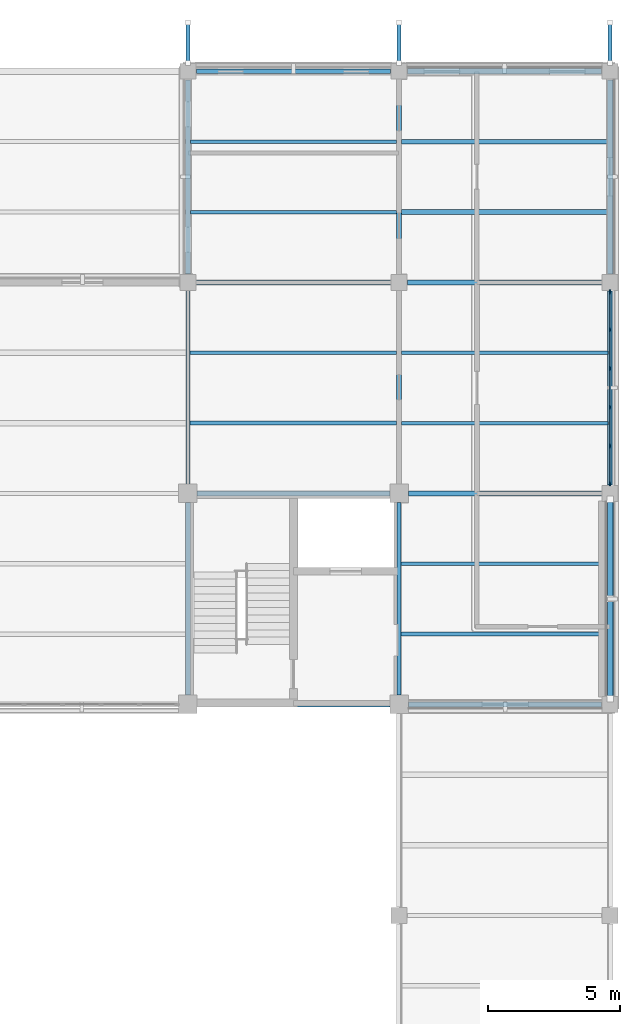
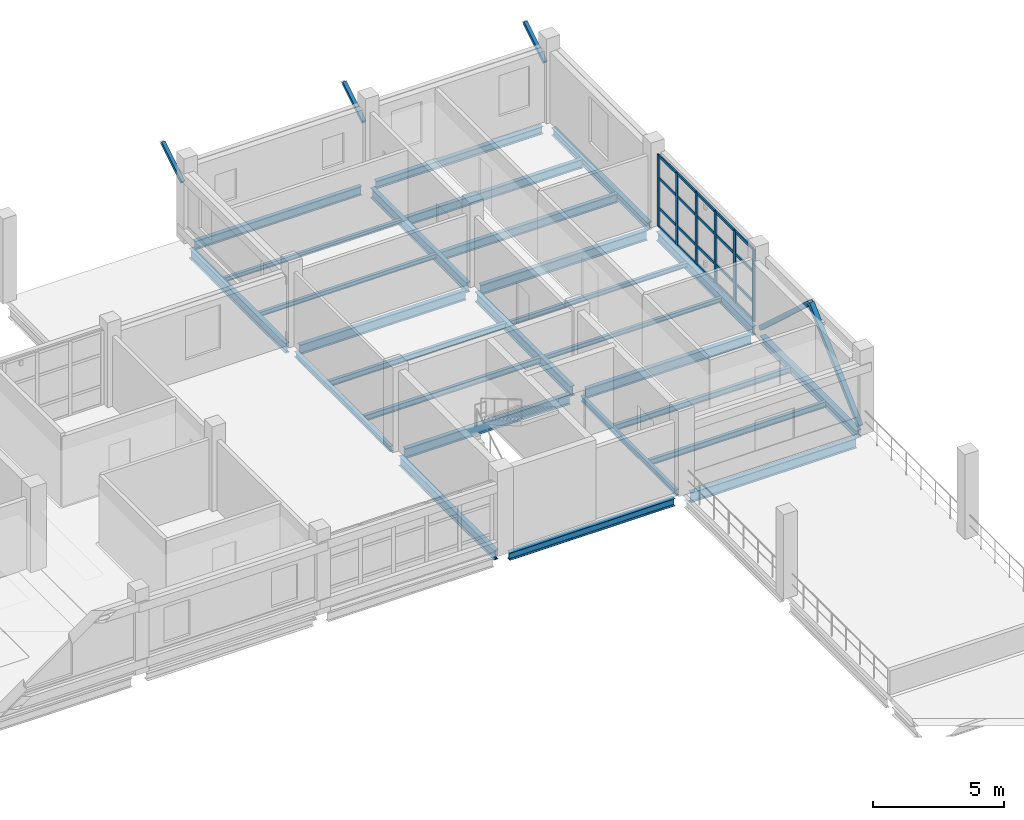
# One storey, part 13 of 35: 31 members, 27 beams, 1 element without a shape of its own.
"""IFC4 building model written with IfcOpenShell, lengths in metres."""

from ifc_helpers import new_model, si_unit, derived_unit, direction, frame, origin, origin_2d, place, context, subcontext, project, spatial, rectangle, hollow_rectangle, i_section, extrude, material, layer, layer_set, material_profile, profile_set, type_object, element, aggregate, save


model = new_model("IFC4")

# Units and contexts
model_context = context("Model", 3, precision=1e-05, world=origin(), true_north=direction((0.0, 1.0)))
body_context = subcontext(model_context, "Body", "Model", "MODEL_VIEW")
ifc_project = project(units=[si_unit("LENGTHUNIT", "METRE"), si_unit("AREAUNIT", "SQUARE_METRE"), si_unit("VOLUMEUNIT", "CUBIC_METRE"), si_unit("PLANEANGLEUNIT", "RADIAN"), si_unit("MASSUNIT", "GRAM", prefix="KILO"), derived_unit("THERMALTRANSMITTANCEUNIT", [(si_unit("MASSUNIT", "GRAM", prefix="KILO"), 1), (si_unit("TIMEUNIT", "SECOND"), -3), (si_unit("THERMODYNAMICTEMPERATUREUNIT", "KELVIN"), -1)])], contexts=[model_context])

# Site, building, storey
site_placement = place(None, origin())
site = spatial("IfcSite", under=ifc_project, at=site_placement, CompositionType="ELEMENT")
building_placement = place(site_placement, origin())
building = spatial("IfcBuilding", under=site, at=building_placement, Name="Veyamyaing Civic Hall", CompositionType="ELEMENT")
storey_placement = place(building_placement, frame((0.0, 0.0, 21.780029296875)))
storey = spatial("IfcBuildingStorey", under=building, at=storey_placement, Name="L05", CompositionType="ELEMENT", Elevation=21.780029296875)

# Beams
ifc_material_1 = material(Name="Steel ASTM A992", Category="steel")
ifc_material_profile_1 = material_profile(ifc_material_1, i_section(OverallWidth=0.19189453125, OverallDepth=0.462890625, WebThickness=0.010498046875, FlangeThickness=0.017578125, FilletRadius=0.010009765625, at=origin_2d()), Name="W460X89")
ifc_profile_set_1 = profile_set([ifc_material_profile_1], Name="Steel ASTM A992")
beam_type_1 = type_object("IfcBeamType", Name="B-08", PredefinedType="BEAM", material=ifc_profile_set_1)
beam_1_placement = place(storey_placement, frame((168.35009765625, 88.0, -0.46142578125), z_axis=(1.0, 0.0, 0.0), x_axis=(0.0, 1.0, 0.0)))
element("IfcBeam", 1, at=beam_1_placement, inside=storey, type_object=beam_type_1, Name="Girder B-08 L05 Grid M 22-23", PredefinedType="BEAM", context=body_context, shape_type="SweptSolid", body=[
    extrude(i_section(OverallWidth=0.19189453125, OverallDepth=0.462890625, WebThickness=0.010498046875, FlangeThickness=0.017578125, FilletRadius=0.010009765625, at=origin_2d()), origin(), (0.0, 0.0, 1.0), 7.324951171875),
])
beam_2_placement = place(storey_placement, frame((160.35009765625, 96.0, -0.45654296875), z_axis=(1.0, 0.0, 0.0), x_axis=(0.0, 1.0, 0.0)))
element("IfcBeam", 2, at=beam_2_placement, inside=storey, type_object=beam_type_1, Name="Girder B-08 L05 Grid N 21-22", PredefinedType="BEAM", context=body_context, shape_type="SweptSolid", body=[
    extrude(i_section(OverallWidth=0.19189453125, OverallDepth=0.462890625, WebThickness=0.010498046875, FlangeThickness=0.017578125, FilletRadius=0.010009765625, at=origin_2d()), origin(), (0.0, 0.0, 1.0), 7.2998046875),
])
beam_3_placement = place(storey_placement, frame((160.0, 104.324951171875, -0.4814453125), z_axis=(0.0, 1.0, 0.0), x_axis=(-1.0, 0.0, 0.0)))
element("IfcBeam", 3, at=beam_3_placement, inside=storey, type_object=beam_type_1, Name="Girder B-08 L05 Grid 21 P-Q", PredefinedType="BEAM", context=body_context, shape_type="SweptSolid", body=[
    extrude(i_section(OverallWidth=0.19189453125, OverallDepth=0.462890625, WebThickness=0.010498046875, FlangeThickness=0.017578125, FilletRadius=0.010009765625, at=origin_2d()), origin(), (0.0, 0.0, 1.0), 7.35009765625),
])
beam_4_placement = place(storey_placement, frame((168.0, 96.35009765625, -0.45654296875), z_axis=(0.0, 1.0, 0.0), x_axis=(-1.0, 0.0, 0.0)))
element("IfcBeam", 4, at=beam_4_placement, inside=storey, type_object=beam_type_1, Name="Girder B-08 L05 Grid 22 N-P", PredefinedType="BEAM", context=body_context, shape_type="SweptSolid", body=[
    extrude(i_section(OverallWidth=0.19189453125, OverallDepth=0.462890625, WebThickness=0.010498046875, FlangeThickness=0.017578125, FilletRadius=0.010009765625, at=origin_2d()), origin(), (0.0, 0.0, 1.0), 7.324951171875),
])
ifc_material_profile_2 = material_profile(ifc_material_1, i_section(OverallWidth=0.18994140625, OverallDepth=0.45703125, WebThickness=0.009033203125, FlangeThickness=0.014404296875, FilletRadius=0.010009765625, at=origin_2d()), Name="W460X74")
ifc_profile_set_2 = profile_set([ifc_material_profile_2], Name="Steel ASTM A992")
beam_type_2 = type_object("IfcBeamType", Name="B-09", PredefinedType="BEAM", material=ifc_profile_set_2)
beam_5_placement = place(storey_placement, frame((168.35009765625, 96.0, -0.45361328125), z_axis=(1.0, 0.0, 0.0), x_axis=(0.0, 1.0, 0.0)))
element("IfcBeam", 5, at=beam_5_placement, inside=storey, type_object=beam_type_2, Name="Girder B-09 L05 Grid N 22-23", PredefinedType="BEAM", context=body_context, shape_type="SweptSolid", body=[
    extrude(i_section(OverallWidth=0.18994140625, OverallDepth=0.45703125, WebThickness=0.009033203125, FlangeThickness=0.014404296875, FilletRadius=0.010009765625, at=origin_2d()), origin(), (0.0, 0.0, 1.0), 7.324951171875),
])
beam_6_placement = place(storey_placement, frame((160.324951171875, 104.0, -0.45361328125), z_axis=(1.0, 0.0, 0.0), x_axis=(0.0, 1.0, 0.0)))
element("IfcBeam", 6, at=beam_6_placement, inside=storey, type_object=beam_type_2, Name="Girder B-09 L05 Grid P 21-22", PredefinedType="BEAM", context=body_context, shape_type="SweptSolid", body=[
    extrude(i_section(OverallWidth=0.18994140625, OverallDepth=0.45703125, WebThickness=0.009033203125, FlangeThickness=0.014404296875, FilletRadius=0.010009765625, at=origin_2d()), origin(), (0.0, 0.0, 1.0), 7.35009765625),
])
beam_7_placement = place(storey_placement, frame((160.0, 88.35009765625, -0.45361328125), z_axis=(0.0, 1.0, 0.0), x_axis=(-1.0, 0.0, 0.0)))
element("IfcBeam", 7, at=beam_7_placement, inside=storey, type_object=beam_type_2, Name="Girder B-09 L05 Grid 21 M-N", PredefinedType="BEAM", context=body_context, shape_type="SweptSolid", body=[
    extrude(i_section(OverallWidth=0.18994140625, OverallDepth=0.45703125, WebThickness=0.009033203125, FlangeThickness=0.014404296875, FilletRadius=0.010009765625, at=origin_2d()), origin(), (0.0, 0.0, 1.0), 7.2998046875),
])
beam_8_placement = place(storey_placement, frame((168.0, 104.324951171875, -0.45361328125), z_axis=(0.0, 1.0, 0.0), x_axis=(-1.0, 0.0, 0.0)))
element("IfcBeam", 8, at=beam_8_placement, inside=storey, type_object=beam_type_2, Name="Girder B-09 L05 Grid 22 P-Q", PredefinedType="BEAM", context=body_context, shape_type="SweptSolid", body=[
    extrude(i_section(OverallWidth=0.18994140625, OverallDepth=0.45703125, WebThickness=0.009033203125, FlangeThickness=0.014404296875, FilletRadius=0.010009765625, at=origin_2d()), origin(), (0.0, 0.0, 1.0), 7.35009765625),
])
ifc_material_profile_3 = material_profile(ifc_material_1, i_section(OverallWidth=0.179931640625, OverallDepth=0.4130859375, WebThickness=0.009765625, FlangeThickness=0.01611328125, FilletRadius=0.010009765625, at=origin_2d()), Name="W410X74")
ifc_profile_set_3 = profile_set([ifc_material_profile_3], Name="Steel ASTM A992")
beam_type_3 = type_object("IfcBeamType", Name="B-10", PredefinedType="SPANDREL", material=ifc_profile_set_3)
for number, where, z_axis, x_axis, name in (
    (9, (160.324951171875, 112.0, -0.431640625), (1.0, 0.0, 0.0), (0.0, 1.0, 0.0), "Girder B-10 L05 Grid Q 21-22"),
    (10, (176.0, 96.324951171875, -0.431640625), (0.0, 1.0, 0.0), (-1.0, 0.0, 0.0), "Girder B-10 L05 Grid 23 N-P"),
):
    element("IfcBeam", number, at=place(storey_placement, frame(where, z_axis=z_axis, x_axis=x_axis)), inside=storey, type_object=beam_type_3, Name=name, PredefinedType="SPANDREL", context=body_context, shape_type="SweptSolid", body=[
        extrude(i_section(OverallWidth=0.179931640625, OverallDepth=0.4130859375, WebThickness=0.009765625, FlangeThickness=0.01611328125, FilletRadius=0.010009765625, at=origin_2d()), origin(), (0.0, 0.0, 1.0), 7.35009765625),
    ])
ifc_material_profile_4 = material_profile(ifc_material_1, i_section(OverallWidth=0.2041015625, OverallDepth=0.35009765625, WebThickness=0.0078125, FlangeThickness=0.01513671875, FilletRadius=0.010009765625, at=origin_2d()), Name="W360X72")
ifc_profile_set_4 = profile_set([ifc_material_profile_4], Name="Steel ASTM A992")
beam_type_4 = type_object("IfcBeamType", Name="B-11", PredefinedType="SPANDREL", material=ifc_profile_set_4)
beam_9_placement = place(storey_placement, frame((160.35009765625, 88.0, -0.400146484375), z_axis=(1.0, 0.0, 0.0), x_axis=(0.0, 1.0, 0.0)))
element("IfcBeam", 11, at=beam_9_placement, inside=storey, type_object=beam_type_4, Name="Girder B-11 L05 Grid M 21-22", PredefinedType="SPANDREL", context=body_context, shape_type="SweptSolid", body=[
    extrude(i_section(OverallWidth=0.2041015625, OverallDepth=0.35009765625, WebThickness=0.0078125, FlangeThickness=0.01513671875, FilletRadius=0.010009765625, at=origin_2d()), origin(), (0.0, 0.0, 1.0), 7.2998046875),
])
for number, where, z_axis, x_axis, name in (
    (12, (168.324951171875, 112.0, -0.400146484375), (1.0, 0.0, 0.0), (0.0, 1.0, 0.0), "Girder B-11 L05 Grid Q 22-23"),
    (13, (176.0, 104.324951171875, -0.400146484375), (0.0, 1.0, 0.0), (-1.0, 0.0, 0.0), "Girder B-11 L05 Grid 23 P-Q"),
):
    element("IfcBeam", number, at=place(storey_placement, frame(where, z_axis=z_axis, x_axis=x_axis)), inside=storey, type_object=beam_type_4, Name=name, PredefinedType="SPANDREL", context=body_context, shape_type="SweptSolid", body=[
        extrude(i_section(OverallWidth=0.2041015625, OverallDepth=0.35009765625, WebThickness=0.0078125, FlangeThickness=0.01513671875, FilletRadius=0.010009765625, at=origin_2d()), origin(), (0.0, 0.0, 1.0), 7.35009765625),
    ])
ifc_material_profile_5 = material_profile(ifc_material_1, i_section(OverallWidth=0.14599609375, OverallDepth=0.258056640625, WebThickness=0.006103515625, FlangeThickness=0.009033203125, FilletRadius=0.010009765625, at=origin_2d()), Name="W250X33")
ifc_profile_set_5 = profile_set([ifc_material_profile_5], Name="Steel ASTM A992")
beam_type_5 = type_object("IfcBeamType", Name="B-12", PredefinedType="BEAM", material=ifc_profile_set_5)
beam_10_placement = place(storey_placement, frame((160.0, 96.35009765625, -0.35400390625), z_axis=(0.0, 1.0, 0.0), x_axis=(-1.0, 0.0, 0.0)))
element("IfcBeam", 14, at=beam_10_placement, inside=storey, type_object=beam_type_5, Name="Girder B-12 L05 Grid 21 N-P", PredefinedType="BEAM", context=body_context, shape_type="SweptSolid", body=[
    extrude(i_section(OverallWidth=0.14599609375, OverallDepth=0.258056640625, WebThickness=0.006103515625, FlangeThickness=0.009033203125, FilletRadius=0.010009765625, at=origin_2d()), origin(), (0.0, 0.0, 1.0), 7.324951171875),
])
beam_11_placement = place(storey_placement, frame((168.0, 88.35009765625, -0.35400390625), z_axis=(0.0, 1.0, 0.0), x_axis=(-1.0, 0.0, 0.0)))
element("IfcBeam", 15, at=beam_11_placement, inside=storey, type_object=beam_type_5, Name="Girder B-12 L05 Grid 22 M-N", PredefinedType="BEAM", context=body_context, shape_type="SweptSolid", body=[
    extrude(i_section(OverallWidth=0.14599609375, OverallDepth=0.258056640625, WebThickness=0.006103515625, FlangeThickness=0.009033203125, FilletRadius=0.010009765625, at=origin_2d()), origin(), (0.0, 0.0, 1.0), 7.2998046875),
])
ifc_material_profile_6 = material_profile(ifc_material_1, i_section(OverallWidth=0.194091796875, OverallDepth=0.468994140625, WebThickness=0.0126953125, FlangeThickness=0.0205078125, FilletRadius=0.010009765625, at=origin_2d()), Name="W460X106")
ifc_profile_set_6 = profile_set([ifc_material_profile_6], Name="Steel ASTM A992")
beam_type_6 = type_object("IfcBeamType", Name="B-18", PredefinedType="BEAM", material=ifc_profile_set_6)
beam_12_placement = place(storey_placement, frame((168.324951171875, 104.0, -0.45947265625), z_axis=(1.0, 0.0, 0.0), x_axis=(0.0, 1.0, 0.0)))
element("IfcBeam", 16, at=beam_12_placement, inside=storey, type_object=beam_type_6, Name="Girder B-18 L05 Grid P 22-23", PredefinedType="BEAM", context=body_context, shape_type="SweptSolid", body=[
    extrude(i_section(OverallWidth=0.194091796875, OverallDepth=0.468994140625, WebThickness=0.0126953125, FlangeThickness=0.0205078125, FilletRadius=0.010009765625, at=origin_2d()), origin(), (0.0, 0.0, 1.0), 7.35009765625),
])
ifc_material_profile_7 = material_profile(ifc_material_1, i_section(OverallWidth=0.25390625, OverallDepth=0.35302734375, WebThickness=0.009521484375, FlangeThickness=0.016357421875, FilletRadius=0.011962890625, at=origin_2d()), Name="W360X91")
ifc_profile_set_7 = profile_set([ifc_material_profile_7], Name="Steel ASTM A992")
beam_type_7 = type_object("IfcBeamType", Name="B-20", PredefinedType="SPANDREL", material=ifc_profile_set_7)
beam_13_placement = place(storey_placement, frame((176.0, 88.324951171875, -0.401611328125), z_axis=(0.0, 1.0, 0.0), x_axis=(-1.0, 0.0, 0.0)))
element("IfcBeam", 17, at=beam_13_placement, inside=storey, type_object=beam_type_7, Name="Girder B-20 L05 Grid 23 M-N", PredefinedType="SPANDREL", context=body_context, shape_type="SweptSolid", body=[
    extrude(i_section(OverallWidth=0.25390625, OverallDepth=0.35302734375, WebThickness=0.009521484375, FlangeThickness=0.016357421875, FilletRadius=0.011962890625, at=origin_2d()), origin(), (0.0, 0.0, 1.0), 7.35009765625),
])

# Members
ifc_material_2 = material(Name="Steel S355J2", Category="steel")
ifc_material_profile_8 = material_profile(ifc_material_2, hollow_rectangle(XDim=0.202880859375, YDim=0.202880859375, WallThickness=0.009521484375, at=origin_2d()), Name="HSS203X203X9.5")
ifc_profile_set_8 = profile_set([ifc_material_profile_8], Name="Steel S355J2")
member_type_1 = type_object("IfcMemberType", Name="BR-03", PredefinedType="BRACE", material=ifc_profile_set_8)
for number, where, z_axis, x_axis, name in (
    (18, (176.0, 88.219970703125, 0.050048828125), (0.0, 0.737646368513, 0.675187259224), (-1.0, 0.0, 0.0), "Seismic chevron brace BR-03 BF-NE L05.L"),
    (19, (176.0, 95.780029296875, 0.050048828125), (0.0, -0.737646368513, 0.675187259224), (1.0, 0.0, 0.0), "Seismic chevron brace BR-03 BF-NE L05.R"),
):
    element("IfcMember", number, at=place(storey_placement, frame(where, z_axis=z_axis, x_axis=x_axis)), inside=storey, type_object=member_type_1, Name=name, PredefinedType="BRACE", context=body_context, shape_type="SweptSolid", body=[
        extrude(hollow_rectangle(XDim=0.202880859375, YDim=0.202880859375, WallThickness=0.009521484375, at=origin_2d()), origin(), (0.0, 0.0, 1.0), 5.12451171875),
    ])

# Curtain wall, members
ifc_material_3 = material(Name="Anodised aluminium 6063-T6", Category="aluminium")
ifc_layer = layer(ifc_material_3, 0.159912109375, Name="Anodised aluminium 6063-T6")
ifc_layer_set = layer_set([ifc_layer], Name="Anodised aluminium 6063-T6")
curtain_wall_type = type_object("IfcCurtainWallType", Name="CW-09", PredefinedType="NOTDEFINED", material=ifc_layer_set)
curtain_wall_placement = place(storey_placement, origin())
curtain_wall = element("IfcCurtainWall", 20, at=curtain_wall_placement, inside=storey, type_object=curtain_wall_type, Name="Unitized curtain wall CW-09 L05 E 22.13", PredefinedType="NOTDEFINED")
ifc_material_profile_9 = material_profile(ifc_material_3, rectangle(XDim=0.06494140625, YDim=0.159912109375, at=origin_2d()), Name="ALU-MUL-65X160")
ifc_profile_set_9 = profile_set([ifc_material_profile_9], Name="Anodised aluminium 6063-T6")
member_type_2 = type_object("IfcMemberType", Name="CWM-01", PredefinedType="MULLION", material=ifc_profile_set_9)
member_1_placement = place(storey_placement, frame((176.0, 96.362548828125, 0.0), z_axis=(0.0, 0.0, 1.0), x_axis=(-1.0, 0.0, 0.0)))
member_1 = element("IfcMember", 21, at=member_1_placement, type_object=member_type_2, Name="CW-09 mullion 1", PredefinedType="MULLION", context=body_context, shape_type="SweptSolid", body=[
    extrude(rectangle(XDim=0.06494140625, YDim=0.159912109375, at=origin_2d()), origin(), (0.0, 0.0, 1.0), 3.3720703125),
])
member_2_placement = place(storey_placement, frame((176.0, 97.798095703125, 0.0), z_axis=(0.0, 0.0, 1.0), x_axis=(-1.0, 0.0, 0.0)))
member_2 = element("IfcMember", 22, at=member_2_placement, type_object=member_type_2, Name="CW-09 mullion 2", PredefinedType="MULLION", context=body_context, shape_type="SweptSolid", body=[
    extrude(rectangle(XDim=0.06494140625, YDim=0.159912109375, at=origin_2d()), origin(), (0.0, 0.0, 1.0), 3.3720703125),
])
member_3_placement = place(storey_placement, frame((176.0, 99.26611328125, 0.0), z_axis=(0.0, 0.0, 1.0), x_axis=(-1.0, 0.0, 0.0)))
member_3 = element("IfcMember", 23, at=member_3_placement, type_object=member_type_2, Name="CW-09 mullion 3", PredefinedType="MULLION", context=body_context, shape_type="SweptSolid", body=[
    extrude(rectangle(XDim=0.06494140625, YDim=0.159912109375, at=origin_2d()), origin(), (0.0, 0.0, 1.0), 3.3720703125),
])
member_4_placement = place(storey_placement, frame((176.0, 100.73388671875, 0.0), z_axis=(0.0, 0.0, 1.0), x_axis=(-1.0, 0.0, 0.0)))
member_4 = element("IfcMember", 24, at=member_4_placement, type_object=member_type_2, Name="CW-09 mullion 4", PredefinedType="MULLION", context=body_context, shape_type="SweptSolid", body=[
    extrude(rectangle(XDim=0.06494140625, YDim=0.159912109375, at=origin_2d()), origin(), (0.0, 0.0, 1.0), 3.3720703125),
])
member_5_placement = place(storey_placement, frame((176.0, 102.201904296875, 0.0), z_axis=(0.0, 0.0, 1.0), x_axis=(-1.0, 0.0, 0.0)))
member_5 = element("IfcMember", 25, at=member_5_placement, type_object=member_type_2, Name="CW-09 mullion 5", PredefinedType="MULLION", context=body_context, shape_type="SweptSolid", body=[
    extrude(rectangle(XDim=0.06494140625, YDim=0.159912109375, at=origin_2d()), origin(), (0.0, 0.0, 1.0), 3.3720703125),
])
member_6_placement = place(storey_placement, frame((176.0, 103.637451171875, 0.0), z_axis=(0.0, 0.0, 1.0), x_axis=(-1.0, 0.0, 0.0)))
member_6 = element("IfcMember", 26, at=member_6_placement, type_object=member_type_2, Name="CW-09 mullion 6", PredefinedType="MULLION", context=body_context, shape_type="SweptSolid", body=[
    extrude(rectangle(XDim=0.06494140625, YDim=0.159912109375, at=origin_2d()), origin(), (0.0, 0.0, 1.0), 3.3720703125),
])
ifc_material_profile_10 = material_profile(ifc_material_3, rectangle(XDim=0.06494140625, YDim=0.1201171875, at=origin_2d()), Name="ALU-TRN-65X120")
ifc_profile_set_10 = profile_set([ifc_material_profile_10], Name="Anodised aluminium 6063-T6")
member_type_3 = type_object("IfcMemberType", Name="CWT-01", PredefinedType="USERDEFINED", material=ifc_profile_set_10)
member_7_placement = place(storey_placement, frame((176.0, 96.39501953125, 0.032470703125), z_axis=(0.0, 1.0, 0.0), x_axis=(-1.0, 0.0, 0.0)))
member_7 = element("IfcMember", 27, at=member_7_placement, type_object=member_type_3, Name="CW-09 transom 1.1", ObjectType="TRANSOM", PredefinedType="USERDEFINED", context=body_context, shape_type="SweptSolid", body=[
    extrude(rectangle(XDim=0.06494140625, YDim=0.1201171875, at=origin_2d()), origin(), (0.0, 0.0, 1.0), 1.370361328125),
])
member_8_placement = place(storey_placement, frame((176.0, 96.39501953125, 0.89990234375), z_axis=(0.0, 1.0, 0.0), x_axis=(-1.0, 0.0, 0.0)))
member_8 = element("IfcMember", 28, at=member_8_placement, type_object=member_type_3, Name="CW-09 transom 1.2", ObjectType="TRANSOM", PredefinedType="USERDEFINED", context=body_context, shape_type="SweptSolid", body=[
    extrude(rectangle(XDim=0.06494140625, YDim=0.1201171875, at=origin_2d()), origin(), (0.0, 0.0, 1.0), 1.370361328125),
])
member_9_placement = place(storey_placement, frame((176.0, 96.39501953125, 2.29296875), z_axis=(0.0, 1.0, 0.0), x_axis=(-1.0, 0.0, 0.0)))
member_9 = element("IfcMember", 29, at=member_9_placement, type_object=member_type_3, Name="CW-09 transom 1.3", ObjectType="TRANSOM", PredefinedType="USERDEFINED", context=body_context, shape_type="SweptSolid", body=[
    extrude(rectangle(XDim=0.06494140625, YDim=0.1201171875, at=origin_2d()), origin(), (0.0, 0.0, 1.0), 1.370361328125),
])
member_10_placement = place(storey_placement, frame((176.0, 96.39501953125, 3.33935546875), z_axis=(0.0, 1.0, 0.0), x_axis=(-1.0, 0.0, 0.0)))
member_10 = element("IfcMember", 30, at=member_10_placement, type_object=member_type_3, Name="CW-09 transom 1.4", ObjectType="TRANSOM", PredefinedType="USERDEFINED", context=body_context, shape_type="SweptSolid", body=[
    extrude(rectangle(XDim=0.06494140625, YDim=0.1201171875, at=origin_2d()), origin(), (0.0, 0.0, 1.0), 1.370361328125),
])
member_11_placement = place(storey_placement, frame((176.0, 97.83056640625, 0.032470703125), z_axis=(0.0, 1.0, 0.0), x_axis=(-1.0, 0.0, 0.0)))
member_11 = element("IfcMember", 31, at=member_11_placement, type_object=member_type_3, Name="CW-09 transom 2.1", ObjectType="TRANSOM", PredefinedType="USERDEFINED", context=body_context, shape_type="SweptSolid", body=[
    extrude(rectangle(XDim=0.06494140625, YDim=0.1201171875, at=origin_2d()), origin(), (0.0, 0.0, 1.0), 1.40283203125),
])
member_12_placement = place(storey_placement, frame((176.0, 97.83056640625, 0.89990234375), z_axis=(0.0, 1.0, 0.0), x_axis=(-1.0, 0.0, 0.0)))
member_12 = element("IfcMember", 32, at=member_12_placement, type_object=member_type_3, Name="CW-09 transom 2.2", ObjectType="TRANSOM", PredefinedType="USERDEFINED", context=body_context, shape_type="SweptSolid", body=[
    extrude(rectangle(XDim=0.06494140625, YDim=0.1201171875, at=origin_2d()), origin(), (0.0, 0.0, 1.0), 1.40283203125),
])
member_13_placement = place(storey_placement, frame((176.0, 97.83056640625, 2.29296875), z_axis=(0.0, 1.0, 0.0), x_axis=(-1.0, 0.0, 0.0)))
member_13 = element("IfcMember", 33, at=member_13_placement, type_object=member_type_3, Name="CW-09 transom 2.3", ObjectType="TRANSOM", PredefinedType="USERDEFINED", context=body_context, shape_type="SweptSolid", body=[
    extrude(rectangle(XDim=0.06494140625, YDim=0.1201171875, at=origin_2d()), origin(), (0.0, 0.0, 1.0), 1.40283203125),
])
member_14_placement = place(storey_placement, frame((176.0, 97.83056640625, 3.33935546875), z_axis=(0.0, 1.0, 0.0), x_axis=(-1.0, 0.0, 0.0)))
member_14 = element("IfcMember", 34, at=member_14_placement, type_object=member_type_3, Name="CW-09 transom 2.4", ObjectType="TRANSOM", PredefinedType="USERDEFINED", context=body_context, shape_type="SweptSolid", body=[
    extrude(rectangle(XDim=0.06494140625, YDim=0.1201171875, at=origin_2d()), origin(), (0.0, 0.0, 1.0), 1.40283203125),
])
member_15_placement = place(storey_placement, frame((176.0, 99.298583984375, 0.032470703125), z_axis=(0.0, 1.0, 0.0), x_axis=(-1.0, 0.0, 0.0)))
member_15 = element("IfcMember", 35, at=member_15_placement, type_object=member_type_3, Name="CW-09 transom 3.1", ObjectType="TRANSOM", PredefinedType="USERDEFINED", context=body_context, shape_type="SweptSolid", body=[
    extrude(rectangle(XDim=0.06494140625, YDim=0.1201171875, at=origin_2d()), origin(), (0.0, 0.0, 1.0), 1.40283203125),
])
member_16_placement = place(storey_placement, frame((176.0, 99.298583984375, 0.89990234375), z_axis=(0.0, 1.0, 0.0), x_axis=(-1.0, 0.0, 0.0)))
member_16 = element("IfcMember", 36, at=member_16_placement, type_object=member_type_3, Name="CW-09 transom 3.2", ObjectType="TRANSOM", PredefinedType="USERDEFINED", context=body_context, shape_type="SweptSolid", body=[
    extrude(rectangle(XDim=0.06494140625, YDim=0.1201171875, at=origin_2d()), origin(), (0.0, 0.0, 1.0), 1.40283203125),
])
member_17_placement = place(storey_placement, frame((176.0, 99.298583984375, 2.29296875), z_axis=(0.0, 1.0, 0.0), x_axis=(-1.0, 0.0, 0.0)))
member_17 = element("IfcMember", 37, at=member_17_placement, type_object=member_type_3, Name="CW-09 transom 3.3", ObjectType="TRANSOM", PredefinedType="USERDEFINED", context=body_context, shape_type="SweptSolid", body=[
    extrude(rectangle(XDim=0.06494140625, YDim=0.1201171875, at=origin_2d()), origin(), (0.0, 0.0, 1.0), 1.40283203125),
])
member_18_placement = place(storey_placement, frame((176.0, 99.298583984375, 3.33935546875), z_axis=(0.0, 1.0, 0.0), x_axis=(-1.0, 0.0, 0.0)))
member_18 = element("IfcMember", 38, at=member_18_placement, type_object=member_type_3, Name="CW-09 transom 3.4", ObjectType="TRANSOM", PredefinedType="USERDEFINED", context=body_context, shape_type="SweptSolid", body=[
    extrude(rectangle(XDim=0.06494140625, YDim=0.1201171875, at=origin_2d()), origin(), (0.0, 0.0, 1.0), 1.40283203125),
])
member_19_placement = place(storey_placement, frame((176.0, 100.7666015625, 0.032470703125), z_axis=(0.0, 1.0, 0.0), x_axis=(-1.0, 0.0, 0.0)))
member_19 = element("IfcMember", 39, at=member_19_placement, type_object=member_type_3, Name="CW-09 transom 4.1", ObjectType="TRANSOM", PredefinedType="USERDEFINED", context=body_context, shape_type="SweptSolid", body=[
    extrude(rectangle(XDim=0.06494140625, YDim=0.1201171875, at=origin_2d()), origin(), (0.0, 0.0, 1.0), 1.40283203125),
])
member_20_placement = place(storey_placement, frame((176.0, 100.7666015625, 0.89990234375), z_axis=(0.0, 1.0, 0.0), x_axis=(-1.0, 0.0, 0.0)))
member_20 = element("IfcMember", 40, at=member_20_placement, type_object=member_type_3, Name="CW-09 transom 4.2", ObjectType="TRANSOM", PredefinedType="USERDEFINED", context=body_context, shape_type="SweptSolid", body=[
    extrude(rectangle(XDim=0.06494140625, YDim=0.1201171875, at=origin_2d()), origin(), (0.0, 0.0, 1.0), 1.40283203125),
])
member_21_placement = place(storey_placement, frame((176.0, 100.7666015625, 2.29296875), z_axis=(0.0, 1.0, 0.0), x_axis=(-1.0, 0.0, 0.0)))
member_21 = element("IfcMember", 41, at=member_21_placement, type_object=member_type_3, Name="CW-09 transom 4.3", ObjectType="TRANSOM", PredefinedType="USERDEFINED", context=body_context, shape_type="SweptSolid", body=[
    extrude(rectangle(XDim=0.06494140625, YDim=0.1201171875, at=origin_2d()), origin(), (0.0, 0.0, 1.0), 1.40283203125),
])
member_22_placement = place(storey_placement, frame((176.0, 100.7666015625, 3.33935546875), z_axis=(0.0, 1.0, 0.0), x_axis=(-1.0, 0.0, 0.0)))
member_22 = element("IfcMember", 42, at=member_22_placement, type_object=member_type_3, Name="CW-09 transom 4.4", ObjectType="TRANSOM", PredefinedType="USERDEFINED", context=body_context, shape_type="SweptSolid", body=[
    extrude(rectangle(XDim=0.06494140625, YDim=0.1201171875, at=origin_2d()), origin(), (0.0, 0.0, 1.0), 1.40283203125),
])
member_23_placement = place(storey_placement, frame((176.0, 102.234619140625, 0.032470703125), z_axis=(0.0, 1.0, 0.0), x_axis=(-1.0, 0.0, 0.0)))
member_23 = element("IfcMember", 43, at=member_23_placement, type_object=member_type_3, Name="CW-09 transom 5.1", ObjectType="TRANSOM", PredefinedType="USERDEFINED", context=body_context, shape_type="SweptSolid", body=[
    extrude(rectangle(XDim=0.06494140625, YDim=0.1201171875, at=origin_2d()), origin(), (0.0, 0.0, 1.0), 1.370361328125),
])
member_24_placement = place(storey_placement, frame((176.0, 102.234619140625, 0.89990234375), z_axis=(0.0, 1.0, 0.0), x_axis=(-1.0, 0.0, 0.0)))
member_24 = element("IfcMember", 44, at=member_24_placement, type_object=member_type_3, Name="CW-09 transom 5.2", ObjectType="TRANSOM", PredefinedType="USERDEFINED", context=body_context, shape_type="SweptSolid", body=[
    extrude(rectangle(XDim=0.06494140625, YDim=0.1201171875, at=origin_2d()), origin(), (0.0, 0.0, 1.0), 1.370361328125),
])
member_25_placement = place(storey_placement, frame((176.0, 102.234619140625, 2.29296875), z_axis=(0.0, 1.0, 0.0), x_axis=(-1.0, 0.0, 0.0)))
member_25 = element("IfcMember", 45, at=member_25_placement, type_object=member_type_3, Name="CW-09 transom 5.3", ObjectType="TRANSOM", PredefinedType="USERDEFINED", context=body_context, shape_type="SweptSolid", body=[
    extrude(rectangle(XDim=0.06494140625, YDim=0.1201171875, at=origin_2d()), origin(), (0.0, 0.0, 1.0), 1.370361328125),
])
member_26_placement = place(storey_placement, frame((176.0, 102.234619140625, 3.33935546875), z_axis=(0.0, 1.0, 0.0), x_axis=(-1.0, 0.0, 0.0)))
member_26 = element("IfcMember", 46, at=member_26_placement, type_object=member_type_3, Name="CW-09 transom 5.4", ObjectType="TRANSOM", PredefinedType="USERDEFINED", context=body_context, shape_type="SweptSolid", body=[
    extrude(rectangle(XDim=0.06494140625, YDim=0.1201171875, at=origin_2d()), origin(), (0.0, 0.0, 1.0), 1.370361328125),
])
aggregate(curtain_wall, [member_1, member_2, member_3, member_4, member_5, member_6, member_7, member_8, member_9, member_10, member_11, member_12, member_13, member_14, member_15, member_16, member_17, member_18, member_19, member_20, member_21, member_22, member_23, member_24, member_25, member_26])

# Beams
ifc_material_profile_11 = material_profile(ifc_material_1, i_section(OverallWidth=0.177978515625, OverallDepth=0.406982421875, WebThickness=0.0078125, FlangeThickness=0.0126953125, FilletRadius=0.010009765625, at=origin_2d()), Name="W410X60")
ifc_profile_set_11 = profile_set([ifc_material_profile_11], Name="Steel ASTM A992")
beam_type_8 = type_object("IfcBeamType", Name="J-01", PredefinedType="JOIST", material=ifc_profile_set_11)
for number, where, z_axis, x_axis, name in (
    (47, (168.093017578125, 106.666748046875, -0.428466796875), (1.0, 0.0, 0.0), (0.0, 1.0, 0.0), "Composite floor joist J-01 L05 22.14.1"),
    (48, (168.093017578125, 109.333251953125, -0.428466796875), (1.0, 0.0, 0.0), (0.0, 1.0, 0.0), "Composite floor joist J-01 L05 22.14.2"),
):
    element("IfcBeam", number, at=place(storey_placement, frame(where, z_axis=z_axis, x_axis=x_axis)), inside=storey, type_object=beam_type_8, Name=name, PredefinedType="JOIST", context=body_context, shape_type="SweptSolid", body=[
        extrude(i_section(OverallWidth=0.177978515625, OverallDepth=0.406982421875, WebThickness=0.0078125, FlangeThickness=0.0126953125, FilletRadius=0.010009765625, at=origin_2d()), origin(), (0.0, 0.0, 1.0), 7.806884765625),
    ])
ifc_material_profile_12 = material_profile(ifc_material_1, i_section(OverallWidth=0.14794921875, OverallDepth=0.26611328125, WebThickness=0.007568359375, FlangeThickness=0.012939453125, FilletRadius=0.010009765625, at=origin_2d()), Name="W250X45")
ifc_profile_set_12 = profile_set([ifc_material_profile_12], Name="Steel ASTM A992")
beam_type_9 = type_object("IfcBeamType", Name="J-07", PredefinedType="JOIST", material=ifc_profile_set_12)
for number, where, z_axis, x_axis, name in (
    (49, (160.071044921875, 98.666748046875, -0.35791015625), (1.0, 0.0, 0.0), (0.0, 1.0, 0.0), "Composite floor joist J-07 L05 21.13.1"),
    (50, (160.071044921875, 101.333251953125, -0.35791015625), (1.0, 0.0, 0.0), (0.0, 1.0, 0.0), "Composite floor joist J-07 L05 21.13.2"),
):
    element("IfcBeam", number, at=place(storey_placement, frame(where, z_axis=z_axis, x_axis=x_axis)), inside=storey, type_object=beam_type_9, Name=name, PredefinedType="JOIST", context=body_context, shape_type="SweptSolid", body=[
        extrude(i_section(OverallWidth=0.14794921875, OverallDepth=0.26611328125, WebThickness=0.007568359375, FlangeThickness=0.012939453125, FilletRadius=0.010009765625, at=origin_2d()), origin(), (0.0, 0.0, 1.0), 7.8349609375),
    ])
for number, where, z_axis, x_axis, name in (
    (51, (168.071044921875, 90.666748046875, -0.35791015625), (1.0, 0.0, 0.0), (0.0, 1.0, 0.0), "Composite floor joist J-07 L05 22.12.1"),
    (52, (168.071044921875, 93.333251953125, -0.35791015625), (1.0, 0.0, 0.0), (0.0, 1.0, 0.0), "Composite floor joist J-07 L05 22.12.2"),
):
    element("IfcBeam", number, at=place(storey_placement, frame(where, z_axis=z_axis, x_axis=x_axis)), inside=storey, type_object=beam_type_9, Name=name, PredefinedType="JOIST", context=body_context, shape_type="SweptSolid", body=[
        extrude(i_section(OverallWidth=0.14794921875, OverallDepth=0.26611328125, WebThickness=0.007568359375, FlangeThickness=0.012939453125, FilletRadius=0.010009765625, at=origin_2d()), origin(), (0.0, 0.0, 1.0), 7.803955078125),
    ])
ifc_material_profile_13 = material_profile(ifc_material_1, i_section(OverallWidth=0.133056640625, OverallDepth=0.20703125, WebThickness=0.005859375, FlangeThickness=0.00830078125, FilletRadius=0.010009765625, at=origin_2d()), Name="W200X27")
ifc_profile_set_13 = profile_set([ifc_material_profile_13], Name="Steel ASTM A992")
beam_type_10 = type_object("IfcBeamType", Name="J-08", PredefinedType="JOIST", material=ifc_profile_set_13)
for number, where, z_axis, x_axis, name in (
    (53, (160.093994140625, 106.666748046875, -0.353515625), (1.0, 0.0, 0.0), (0.0, 1.0, 0.0), "Composite floor joist J-08 L05 21.14.1"),
    (54, (160.093994140625, 109.333251953125, -0.353515625), (1.0, 0.0, 0.0), (0.0, 1.0, 0.0), "Composite floor joist J-08 L05 21.14.2"),
):
    element("IfcBeam", number, at=place(storey_placement, frame(where, z_axis=z_axis, x_axis=x_axis)), inside=storey, type_object=beam_type_10, Name=name, PredefinedType="JOIST", context=body_context, shape_type="SweptSolid", body=[
        extrude(i_section(OverallWidth=0.133056640625, OverallDepth=0.20703125, WebThickness=0.005859375, FlangeThickness=0.00830078125, FilletRadius=0.010009765625, at=origin_2d()), origin(), (0.0, 0.0, 1.0), 7.81298828125),
    ])
for number, where, z_axis, x_axis, name in (
    (55, (168.093994140625, 98.666748046875, -0.32861328125), (1.0, 0.0, 0.0), (0.0, 1.0, 0.0), "Composite floor joist J-08 L05 22.13.1"),
    (56, (168.093994140625, 101.333251953125, -0.32861328125), (1.0, 0.0, 0.0), (0.0, 1.0, 0.0), "Composite floor joist J-08 L05 22.13.2"),
):
    element("IfcBeam", number, at=place(storey_placement, frame(where, z_axis=z_axis, x_axis=x_axis)), inside=storey, type_object=beam_type_10, Name=name, PredefinedType="JOIST", context=body_context, shape_type="SweptSolid", body=[
        extrude(i_section(OverallWidth=0.133056640625, OverallDepth=0.20703125, WebThickness=0.005859375, FlangeThickness=0.00830078125, FilletRadius=0.010009765625, at=origin_2d()), origin(), (0.0, 0.0, 1.0), 7.818115234375),
    ])

# Members
ifc_material_profile_14 = material_profile(ifc_material_2, hollow_rectangle(XDim=0.152099609375, YDim=0.152099609375, WallThickness=0.009521484375, at=origin_2d()), Name="HSS152X152X9.5")
ifc_profile_set_14 = profile_set([ifc_material_profile_14], Name="Steel S355J2")
member_type_4 = type_object("IfcMemberType", Name="SR-01", PredefinedType="STRUT", material=ifc_profile_set_14)
for number, where, z_axis, x_axis, name in (
    (57, (160.0, 112.320068359375, 2.409912109375), (0.0, 0.852059527287, 0.523444898685), (-1.0, 0.0, 0.0), "Sacak diagonal steel eave strut SR-01 V4-NE.20"),
    (58, (168.0, 112.320068359375, 2.409912109375), (0.0, 0.852059527287, 0.523444898685), (-1.0, 0.0, 0.0), "Sacak diagonal steel eave strut SR-01 V4-NE.21"),
    (59, (176.0, 112.320068359375, 2.409912109375), (0.0, 0.852059527287, 0.523444898685), (-1.0, 0.0, 0.0), "Sacak diagonal steel eave strut SR-01 V4-NE.22"),
):
    element("IfcMember", number, at=place(storey_placement, frame(where, z_axis=z_axis, x_axis=x_axis)), inside=storey, type_object=member_type_4, Name=name, PredefinedType="STRUT", context=body_context, shape_type="SweptSolid", body=[
        extrude(hollow_rectangle(XDim=0.152099609375, YDim=0.152099609375, WallThickness=0.009521484375, at=origin_2d()), origin(), (0.0, 0.0, 1.0), 1.795654296875),
    ])

save(model, "model.ifc")
